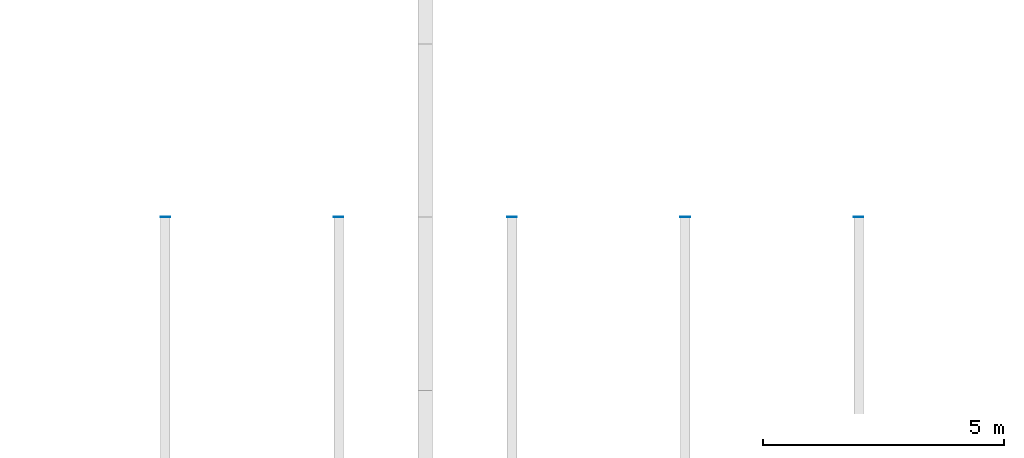
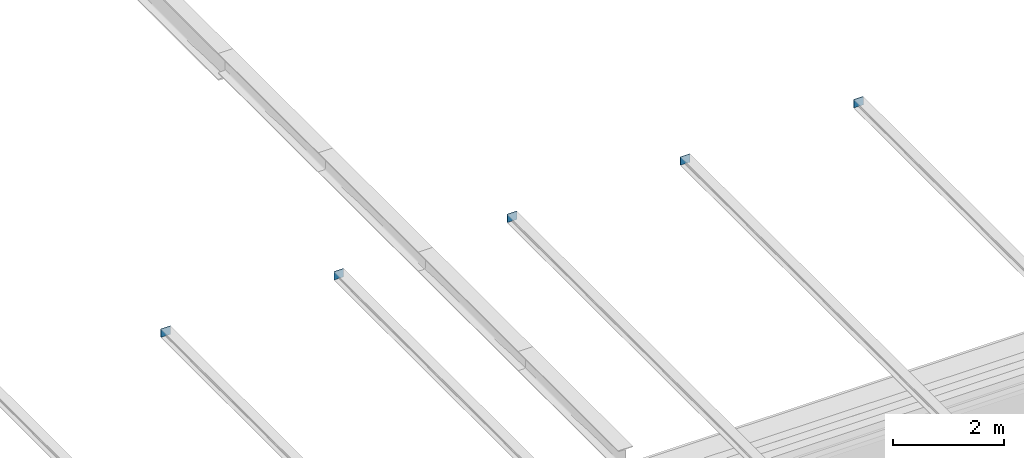
# One storey, part 61 of 110: 5 discrete accessories.
"""IFC4 building model written with IfcOpenShell, lengths in metres."""

from ifc_helpers import new_model, si_unit, direction, frame, origin, origin_2d, place, context, subcontext, project, spatial, rectangle, extrude, material, layer, layer_set, type_object, element, save


model = new_model("IFC4")

# Units and contexts
model_context = context("Model", 3, precision=1e-05, world=origin(), true_north=direction((0.0, 1.0)))
body_context = subcontext(model_context, "Body", "Model", "MODEL_VIEW")
ifc_project = project(units=[si_unit("LENGTHUNIT", "METRE"), si_unit("AREAUNIT", "SQUARE_METRE"), si_unit("VOLUMEUNIT", "CUBIC_METRE"), si_unit("PLANEANGLEUNIT", "RADIAN"), si_unit("MASSUNIT", "GRAM", prefix="KILO")], contexts=[model_context])

# Site, building, storey
site_placement = place(None, origin())
site = spatial("IfcSite", under=ifc_project, at=site_placement, CompositionType="ELEMENT")
building_placement = place(site_placement, origin())
building = spatial("IfcBuilding", under=site, at=building_placement, Name="Kupolbacken Congress Centre", CompositionType="ELEMENT")
storey_placement = place(building_placement, frame((0.0, 0.0, 18.0)))
storey = spatial("IfcBuildingStorey", under=building, at=storey_placement, Name="L05", CompositionType="ELEMENT", Elevation=18.0)

# Discrete accessories
ifc_material = material(Name="Steel S355", Category="steel")
ifc_layer = layer(ifc_material, 0.011962890625)
ifc_layer_set = layer_set([ifc_layer], Name="Steel S355")
discrete_accessory_type = type_object("IfcDiscreteAccessoryType", Name="BK3 bracket end plate 200 x 180 x 12", PredefinedType="BRACKET", material=ifc_layer_set)
for number, where, z_axis, x_axis, name in (
    (1, (174.60009765625, 50.406005859375, 3.60009765625), (0.0, 0.0, 1.0), (1.0, 0.0, 0.0), "Eave bracket end plate S25"),
    (2, (178.199951171875, 50.406005859375, 3.60009765625), (0.0, 0.0, 1.0), (1.0, 0.0, 0.0), "Eave bracket end plate S26"),
    (3, (181.800048828125, 50.406005859375, 3.60009765625), (0.0, 0.0, 1.0), (1.0, 0.0, 0.0), "Eave bracket end plate S27"),
    (4, (185.39990234375, 50.406005859375, 3.60009765625), (0.0, 0.0, 1.0), (1.0, 0.0, 0.0), "Eave bracket end plate S28"),
    (5, (189.0, 50.406005859375, 3.60009765625), (0.0, 0.0, 1.0), (1.0, 0.0, 0.0), "Eave bracket end plate S29"),
):
    element("IfcDiscreteAccessory", number, at=place(storey_placement, frame(where, z_axis=z_axis, x_axis=x_axis)), inside=storey, type_object=discrete_accessory_type, Name=name, PredefinedType="BRACKET", context=body_context, shape_type="SweptSolid", body=[
        extrude(rectangle(XDim=0.199951171875, YDim=0.011962890625, at=origin_2d()), origin(), (0.0, 0.0, 1.0), 0.179931640625),
    ])

save(model, "model.ifc")
